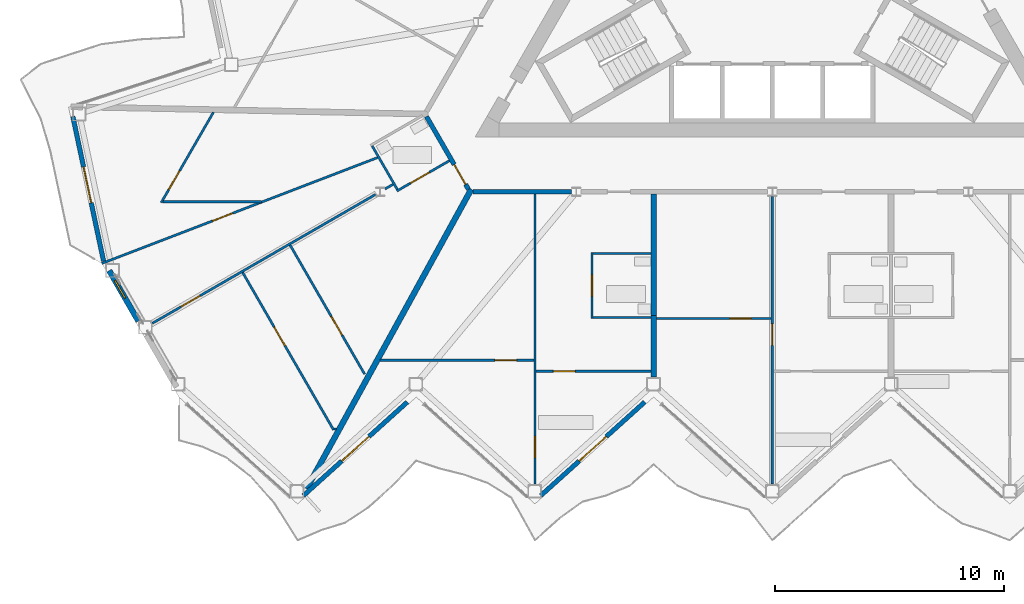
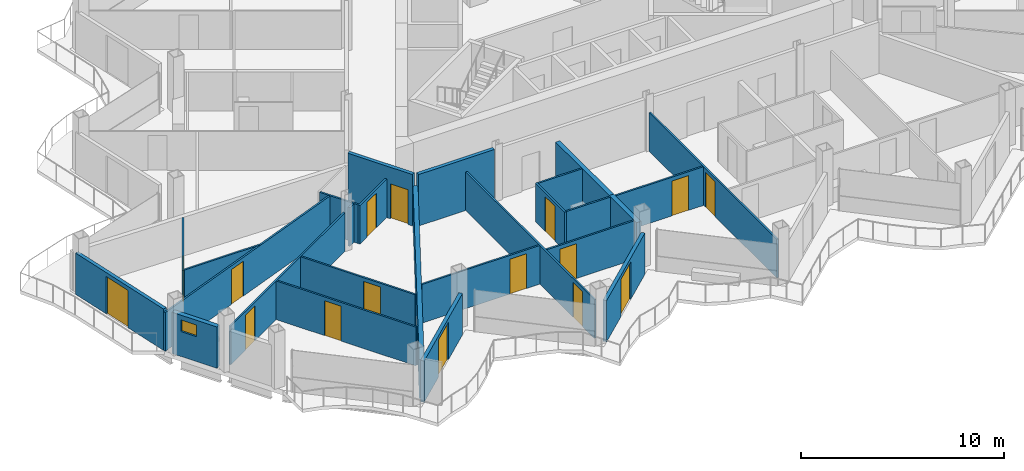
# One storey, part 13 of 27: 27 walls, 16 doors, 1 window, 17 openings.
"""IFC4 building model written with IfcOpenShell, lengths in metres."""

from ifc_helpers import new_model, si_unit, direction, frame, frame_2d, origin, place, context, subcontext, project, spatial, rectangle, extrude, material, layer, layer_set, type_object, element, fill, save


model = new_model("IFC4")

# Units and contexts
model_context = context("Model", 3, precision=1e-05, world=origin(), true_north=direction((0.0, 1.0)))
body_context = subcontext(model_context, "Body", "Model", "MODEL_VIEW")
ifc_project = project(units=[si_unit("LENGTHUNIT", "METRE"), si_unit("AREAUNIT", "SQUARE_METRE"), si_unit("VOLUMEUNIT", "CUBIC_METRE"), si_unit("PLANEANGLEUNIT", "RADIAN"), si_unit("MASSUNIT", "GRAM", prefix="KILO")], contexts=[model_context])

# Site, building, storey
site_placement = place(None, origin())
site = spatial("IfcSite", under=ifc_project, at=site_placement, CompositionType="ELEMENT")
building_placement = place(site_placement, origin())
building = spatial("IfcBuilding", under=site, at=building_placement, Name="Cormorant Prow Tower", CompositionType="ELEMENT")
storey_placement = place(building_placement, frame((0.0, 0.0, 318.800048828125)))
storey = spatial("IfcBuildingStorey", under=building, at=storey_placement, Name="L70", CompositionType="ELEMENT", Elevation=318.800048828125)

# Wall
ifc_material_1 = material(Name="Gypsum board corridor wall")
ifc_layer_1 = layer(ifc_material_1, 0.199951171875)
ifc_layer_set_1 = layer_set([ifc_layer_1], Name="Gypsum board corridor wall")
wall_type_1 = type_object("IfcWallType", Name="Corridor wall 200", PredefinedType="PARTITIONING", material=ifc_layer_set_1)
wall_1_placement = place(storey_placement, frame((-13.10595703125, -9.905517578125, 0.0), z_axis=(0.0, 0.0, 1.0), x_axis=(1.0, 0.0, 0.0)))
element("IfcWall", 1, at=wall_1_placement, inside=storey, type_object=wall_type_1, Name="Corridor wall", PredefinedType="PARTITIONING", context=body_context, shape_type="SweptSolid", body=[
    extrude(rectangle(XDim=4.31982421875, YDim=0.199951171875, at=frame_2d((2.159912109375, 0.0))), origin(), (0.0, 0.0, 1.0), 3.099853515625),
])

# Wall, opening, door
wall_2_placement = place(storey_placement, frame((-15.13134765625, -6.61376953125, 0.0), z_axis=(0.0, 0.0, 1.0), x_axis=(0.499967746641, -0.866044024469, 0.0)))
wall_2 = element("IfcWall", 2, at=wall_2_placement, inside=storey, type_object=wall_type_1, Name="Corridor wall", PredefinedType="PARTITIONING", context=body_context, shape_type="SweptSolid", body=[
    extrude(rectangle(XDim=3.676025390625, YDim=0.199951171875, at=frame_2d((1.837890625, 0.0))), origin(), (0.0, 0.0, 1.0), 3.099853515625),
])
opening_1_placement = place(wall_2_placement, frame((2.426025390625, 0.0, 0.0)))
opening_1 = element("IfcOpeningElement", 3, at=opening_1_placement, cuts=wall_2, Name="Opening L70-F48", PredefinedType="OPENING", context=body_context, shape_type="SweptSolid", body=[
    extrude(rectangle(XDim=1.0, YDim=2.10009765625, at=frame_2d((0.5, 1.050048828125))), frame((0.0, 0.10986328125, 0.0), z_axis=(0.0, -1.0, 0.0), x_axis=(1.0, 0.0, 0.0)), (0.0, 0.0, 1.0), 0.219970703125),
])
ifc_material_2 = material(Name="Timber door leaf", Category="wood")
door_type_1 = type_object("IfcDoorType", Name="Flat or room entrance door 1000x2100", OperationType="NOTDEFINED", PredefinedType="DOOR", material=ifc_material_2)
door_1_placement = place(opening_1_placement, origin())
door_1 = element("IfcDoor", 4, at=door_1_placement, inside=storey, type_object=door_type_1, Name="Living room door", OperationType="SINGLE_SWING_RIGHT", OverallHeight=2.10009765625, OverallWidth=1.0, PredefinedType="DOOR", context=body_context, shape_type="SweptSolid", body=[
    extrude(rectangle(XDim=1.0, YDim=2.10009765625, at=frame_2d((0.5, 1.050048828125))), frame((0.0, 0.02490234375, 0.0), z_axis=(0.0, -1.0, 0.0), x_axis=(1.0, 0.0, 0.0)), (0.0, 0.0, 1.0), 0.050048828125),
])
fill(opening_1, door_1)

ifc_material_3 = material(Name="Gypsum board partition")
ifc_layer_2 = layer(ifc_material_3, 0.10009765625)
ifc_layer_set_2 = layer_set([ifc_layer_2], Name="Gypsum board partition")
wall_type_2 = type_object("IfcWallType", Name="Internal partition 100", PredefinedType="PARTITIONING", material=ifc_layer_set_2)
wall_3_placement = place(storey_placement, frame((-29.33837890625, -13.042236328125, 0.0), z_axis=(0.0, 0.0, 1.0), x_axis=(0.93358243931, 0.358362705944, 0.0)))
wall_3 = element("IfcWall", 5, at=wall_3_placement, inside=storey, type_object=wall_type_2, Name="Internal partition", PredefinedType="PARTITIONING", context=body_context, shape_type="SweptSolid", body=[
    extrude(rectangle(XDim=12.927734375, YDim=0.10009765625, at=frame_2d((6.4638671875, 0.0))), origin(), (0.0, 0.0, 1.0), 2.330078125),
])
opening_2_placement = place(wall_3_placement, frame((5.183349609375, 0.0, 0.0)))
opening_2 = element("IfcOpeningElement", 6, at=opening_2_placement, cuts=wall_3, Name="Opening L70-F53", PredefinedType="OPENING", context=body_context, shape_type="SweptSolid", body=[
    extrude(rectangle(XDim=0.949951171875, YDim=2.10009765625, at=frame_2d((0.47509765625, 1.050048828125))), frame((0.0, 0.06005859375, 0.0), z_axis=(0.0, -1.0, 0.0), x_axis=(1.0, 0.0, 0.0)), (0.0, 0.0, 1.0), 0.1201171875),
])
ifc_material_4 = material(Name="Timber door leaf", Category="wood")
door_type_2 = type_object("IfcDoorType", Name="Bathroom door 950x2100", OperationType="NOTDEFINED", PredefinedType="DOOR", material=ifc_material_4)
door_2_placement = place(opening_2_placement, origin())
door_2 = element("IfcDoor", 7, at=door_2_placement, inside=storey, type_object=door_type_2, Name="Bedroom door", OperationType="SINGLE_SWING_RIGHT", OverallHeight=2.10009765625, OverallWidth=0.949951171875, PredefinedType="DOOR", context=body_context, shape_type="SweptSolid", body=[
    extrude(rectangle(XDim=0.949951171875, YDim=2.10009765625, at=frame_2d((0.47509765625, 1.050048828125))), frame((0.0, 0.02490234375, 0.0), z_axis=(0.0, -1.0, 0.0), x_axis=(1.0, 0.0, 0.0)), (0.0, 0.0, 1.0), 0.050048828125),
])
fill(opening_2, door_2)

wall_4_placement = place(storey_placement, frame((-10.385498046875, -22.697998046875, 0.0), z_axis=(0.0, 0.0, 1.0), x_axis=(0.0, 1.0, 0.0)))
wall_4 = element("IfcWall", 8, at=wall_4_placement, inside=storey, type_object=wall_type_2, Name="Internal partition", PredefinedType="PARTITIONING", context=body_context, shape_type="SweptSolid", body=[
    extrude(rectangle(XDim=12.6923828125, YDim=0.10009765625, at=frame_2d((6.34619140625, 0.0))), origin(), (0.0, 0.0, 1.0), 2.330078125),
])
opening_3_placement = place(wall_4_placement, frame((1.1533203125, 0.0, 0.0)))
opening_3 = element("IfcOpeningElement", 9, at=opening_3_placement, cuts=wall_4, Name="Opening L70-F04", PredefinedType="OPENING", context=body_context, shape_type="SweptSolid", body=[
    extrude(rectangle(XDim=0.949951171875, YDim=2.10009765625, at=frame_2d((0.47509765625, 1.050048828125))), frame((0.0, 0.06005859375, 0.0), z_axis=(0.0, -1.0, 0.0), x_axis=(1.0, 0.0, 0.0)), (0.0, 0.0, 1.0), 0.1201171875),
])
door_3_placement = place(opening_3_placement, origin())
door_3 = element("IfcDoor", 10, at=door_3_placement, inside=storey, type_object=door_type_2, Name="Kitchen door", OperationType="SINGLE_SWING_RIGHT", OverallHeight=2.10009765625, OverallWidth=0.949951171875, PredefinedType="DOOR", context=body_context, shape_type="SweptSolid", body=[
    extrude(rectangle(XDim=0.949951171875, YDim=2.10009765625, at=frame_2d((0.47509765625, 1.050048828125))), frame((0.0, 0.02490234375, 0.0), z_axis=(0.0, -1.0, 0.0), x_axis=(1.0, 0.0, 0.0)), (0.0, 0.0, 1.0), 0.050048828125),
])
fill(opening_3, door_3)

wall_5_placement = place(storey_placement, frame((0.0, -22.697998046875, 0.0), z_axis=(0.0, 0.0, 1.0), x_axis=(0.0, 1.0, 0.0)))
wall_5 = element("IfcWall", 11, at=wall_5_placement, inside=storey, type_object=wall_type_2, Name="Internal partition", PredefinedType="PARTITIONING", context=body_context, shape_type="SweptSolid", body=[
    extrude(rectangle(XDim=12.584716796875, YDim=0.10009765625, at=frame_2d((6.29248046875, 0.0))), origin(), (0.0, 0.0, 1.0), 2.330078125),
])
opening_4_placement = place(wall_5_placement, frame((6.068115234375, 0.0, 0.0)))
opening_4 = element("IfcOpeningElement", 12, at=opening_4_placement, cuts=wall_5, Name="Opening L70-F09", PredefinedType="OPENING", context=body_context, shape_type="SweptSolid", body=[
    extrude(rectangle(XDim=0.949951171875, YDim=2.10009765625, at=frame_2d((0.47509765625, 1.050048828125))), frame((0.0, 0.06005859375, 0.0), z_axis=(0.0, -1.0, 0.0), x_axis=(1.0, 0.0, 0.0)), (0.0, 0.0, 1.0), 0.1201171875),
])
door_4_placement = place(opening_4_placement, origin())
door_4 = element("IfcDoor", 13, at=door_4_placement, inside=storey, type_object=door_type_2, Name="Living room door", OperationType="SINGLE_SWING_RIGHT", OverallHeight=2.10009765625, OverallWidth=0.949951171875, PredefinedType="DOOR", context=body_context, shape_type="SweptSolid", body=[
    extrude(rectangle(XDim=0.949951171875, YDim=2.10009765625, at=frame_2d((0.47509765625, 1.050048828125))), frame((0.0, 0.02490234375, 0.0), z_axis=(0.0, -1.0, 0.0), x_axis=(1.0, 0.0, 0.0)), (0.0, 0.0, 1.0), 0.050048828125),
])
fill(opening_4, door_4)

wall_6_placement = place(storey_placement, frame((-27.122314453125, -15.6591796875, 0.0), z_axis=(0.0, 0.0, 1.0), x_axis=(0.866021046153, 0.500007547564, 0.0)))
wall_6 = element("IfcWall", 14, at=wall_6_placement, inside=storey, type_object=wall_type_2, Name="Internal partition", PredefinedType="PARTITIONING", context=body_context, shape_type="SweptSolid", body=[
    extrude(rectangle(XDim=11.267333984375, YDim=0.10009765625, at=frame_2d((5.6337890625, 0.0))), origin(), (0.0, 0.0, 1.0), 2.330078125),
])
opening_5_placement = place(wall_6_placement, frame((1.4521484375, 0.0, 0.0)))
opening_5 = element("IfcOpeningElement", 15, at=opening_5_placement, cuts=wall_6, Name="Opening L70-F52", PredefinedType="OPENING", context=body_context, shape_type="SweptSolid", body=[
    extrude(rectangle(XDim=0.949951171875, YDim=2.10009765625, at=frame_2d((0.47509765625, 1.050048828125))), frame((0.0, 0.06005859375, 0.0), z_axis=(0.0, -1.0, 0.0), x_axis=(1.0, 0.0, 0.0)), (0.0, 0.0, 1.0), 0.1201171875),
])
door_5_placement = place(opening_5_placement, origin())
door_5 = element("IfcDoor", 16, at=door_5_placement, inside=storey, type_object=door_type_2, Name="Dining room door", OperationType="SINGLE_SWING_RIGHT", OverallHeight=2.10009765625, OverallWidth=0.949951171875, PredefinedType="DOOR", context=body_context, shape_type="SweptSolid", body=[
    extrude(rectangle(XDim=0.949951171875, YDim=2.10009765625, at=frame_2d((0.47509765625, 1.050048828125))), frame((0.0, 0.02490234375, 0.0), z_axis=(0.0, -1.0, 0.0), x_axis=(1.0, 0.0, 0.0)), (0.0, 0.0, 1.0), 0.050048828125),
])
fill(opening_5, door_5)

wall_7_placement = place(storey_placement, frame((-23.173095703125, -13.436767578125, 0.0), z_axis=(0.0, 0.0, 1.0), x_axis=(0.500018284498, -0.866014846967, 0.0)))
wall_7 = element("IfcWall", 17, at=wall_7_placement, inside=storey, type_object=wall_type_2, Name="Internal partition", PredefinedType="PARTITIONING", context=body_context, shape_type="SweptSolid", body=[
    extrude(rectangle(XDim=7.953369140625, YDim=0.10009765625, at=frame_2d((3.9765625, 0.0))), origin(), (0.0, 0.0, 1.0), 2.330078125),
])
opening_6_placement = place(wall_7_placement, frame((2.751220703125, 0.0, 0.0)))
opening_6 = element("IfcOpeningElement", 18, at=opening_6_placement, cuts=wall_7, Name="Opening L70-F51", PredefinedType="OPENING", context=body_context, shape_type="SweptSolid", body=[
    extrude(rectangle(XDim=0.949951171875, YDim=2.10009765625, at=frame_2d((0.47509765625, 1.050048828125))), frame((0.0, 0.06005859375, 0.0), z_axis=(0.0, -1.0, 0.0), x_axis=(1.0, 0.0, 0.0)), (0.0, 0.0, 1.0), 0.1201171875),
])
door_6_placement = place(opening_6_placement, origin())
door_6 = element("IfcDoor", 19, at=door_6_placement, inside=storey, type_object=door_type_2, Name="Kitchen door", OperationType="SINGLE_SWING_RIGHT", OverallHeight=2.10009765625, OverallWidth=0.949951171875, PredefinedType="DOOR", context=body_context, shape_type="SweptSolid", body=[
    extrude(rectangle(XDim=0.949951171875, YDim=2.10009765625, at=frame_2d((0.47509765625, 1.050048828125))), frame((0.0, 0.02490234375, 0.0), z_axis=(0.0, -1.0, 0.0), x_axis=(1.0, 0.0, 0.0)), (0.0, 0.0, 1.0), 0.050048828125),
])
fill(opening_6, door_6)

wall_8_placement = place(storey_placement, frame((-17.157958984375, -17.27099609375, 0.0), z_axis=(0.0, 0.0, 1.0), x_axis=(1.0, 0.0, 0.0)))
wall_8 = element("IfcWall", 20, at=wall_8_placement, inside=storey, type_object=wall_type_2, Name="Internal partition", PredefinedType="PARTITIONING", context=body_context, shape_type="SweptSolid", body=[
    extrude(rectangle(XDim=6.722412109375, YDim=0.10009765625, at=frame_2d((3.361328125, 0.0))), origin(), (0.0, 0.0, 1.0), 2.330078125),
])
opening_7_placement = place(wall_8_placement, frame((5.015380859375, 0.0, 0.0)))
opening_7 = element("IfcOpeningElement", 21, at=opening_7_placement, cuts=wall_8, Name="Opening L70-F05", PredefinedType="OPENING", context=body_context, shape_type="SweptSolid", body=[
    extrude(rectangle(XDim=0.949951171875, YDim=2.10009765625, at=frame_2d((0.47509765625, 1.050048828125))), frame((0.0, 0.06005859375, 0.0), z_axis=(0.0, -1.0, 0.0), x_axis=(1.0, 0.0, 0.0)), (0.0, 0.0, 1.0), 0.1201171875),
])
door_7_placement = place(opening_7_placement, origin())
door_7 = element("IfcDoor", 22, at=door_7_placement, inside=storey, type_object=door_type_2, Name="Bedroom door", OperationType="SINGLE_SWING_RIGHT", OverallHeight=2.10009765625, OverallWidth=0.949951171875, PredefinedType="DOOR", context=body_context, shape_type="SweptSolid", body=[
    extrude(rectangle(XDim=0.949951171875, YDim=2.10009765625, at=frame_2d((0.47509765625, 1.050048828125))), frame((0.0, 0.02490234375, 0.0), z_axis=(0.0, -1.0, 0.0), x_axis=(1.0, 0.0, 0.0)), (0.0, 0.0, 1.0), 0.050048828125),
])
fill(opening_7, door_7)

wall_9_placement = place(storey_placement, frame((-21.09765625, -12.238525390625, 0.0), z_axis=(0.0, 0.0, 1.0), x_axis=(0.499973122483, -0.86604092097, 0.0)))
wall_9 = element("IfcWall", 23, at=wall_9_placement, inside=storey, type_object=wall_type_2, Name="Internal partition", PredefinedType="PARTITIONING", context=body_context, shape_type="SweptSolid", body=[
    extrude(rectangle(XDim=6.519775390625, YDim=0.10009765625, at=frame_2d((3.259765625, 0.0))), origin(), (0.0, 0.0, 1.0), 2.330078125),
])
opening_8_placement = place(wall_9_placement, frame((3.59619140625, 0.0, 0.0)))
opening_8 = element("IfcOpeningElement", 24, at=opening_8_placement, cuts=wall_9, Name="Opening L70-F50", PredefinedType="OPENING", context=body_context, shape_type="SweptSolid", body=[
    extrude(rectangle(XDim=0.949951171875, YDim=2.10009765625, at=frame_2d((0.47509765625, 1.050048828125))), frame((0.0, 0.06005859375, 0.0), z_axis=(0.0, -1.0, 0.0), x_axis=(1.0, 0.0, 0.0)), (0.0, 0.0, 1.0), 0.1201171875),
])
door_8_placement = place(opening_8_placement, origin())
door_8 = element("IfcDoor", 25, at=door_8_placement, inside=storey, type_object=door_type_2, Name="Living room door", OperationType="SINGLE_SWING_RIGHT", OverallHeight=2.10009765625, OverallWidth=0.949951171875, PredefinedType="DOOR", context=body_context, shape_type="SweptSolid", body=[
    extrude(rectangle(XDim=0.949951171875, YDim=2.10009765625, at=frame_2d((0.47509765625, 1.050048828125))), frame((0.0, 0.02490234375, 0.0), z_axis=(0.0, -1.0, 0.0), x_axis=(1.0, 0.0, 0.0)), (0.0, 0.0, 1.0), 0.050048828125),
])
fill(opening_8, door_8)

wall_10_placement = place(storey_placement, frame((-10.335693359375, -17.758056640625, 0.0), z_axis=(0.0, 0.0, 1.0), x_axis=(1.0, 0.0, 0.0)))
wall_10 = element("IfcWall", 26, at=wall_10_placement, inside=storey, type_object=wall_type_2, Name="Internal partition", PredefinedType="PARTITIONING", context=body_context, shape_type="SweptSolid", body=[
    extrude(rectangle(XDim=5.017822265625, YDim=0.10009765625, at=frame_2d((2.5087890625, 0.0))), origin(), (0.0, 0.0, 1.0), 2.330078125),
])
opening_9_placement = place(wall_10_placement, frame((0.759765625, 0.0, 0.0)))
opening_9 = element("IfcOpeningElement", 27, at=opening_9_placement, cuts=wall_10, Name="Opening L70-F03", PredefinedType="OPENING", context=body_context, shape_type="SweptSolid", body=[
    extrude(rectangle(XDim=0.949951171875, YDim=2.10009765625, at=frame_2d((0.47509765625, 1.050048828125))), frame((0.0, 0.06005859375, 0.0), z_axis=(0.0, -1.0, 0.0), x_axis=(1.0, 0.0, 0.0)), (0.0, 0.0, 1.0), 0.1201171875),
])
door_9_placement = place(opening_9_placement, origin())
door_9 = element("IfcDoor", 28, at=door_9_placement, inside=storey, type_object=door_type_2, Name="Living room door", OperationType="SINGLE_SWING_LEFT", OverallHeight=2.10009765625, OverallWidth=0.949951171875, PredefinedType="DOOR", context=body_context, shape_type="SweptSolid", body=[
    extrude(rectangle(XDim=0.949951171875, YDim=2.10009765625, at=frame_2d((0.47509765625, 1.050048828125))), frame((0.0, 0.02490234375, 0.0), z_axis=(0.0, -1.0, 0.0), x_axis=(1.0, 0.0, 0.0)), (0.0, 0.0, 1.0), 0.050048828125),
])
fill(opening_9, door_9)

wall_11_placement = place(storey_placement, frame((-5.06787109375, -15.447265625, 0.0), z_axis=(0.0, 0.0, 1.0), x_axis=(1.0, 0.0, 0.0)))
wall_11 = element("IfcWall", 29, at=wall_11_placement, inside=storey, type_object=wall_type_2, Name="Internal partition", PredefinedType="PARTITIONING", context=body_context, shape_type="SweptSolid", body=[
    extrude(rectangle(XDim=5.017822265625, YDim=0.10009765625, at=frame_2d((2.5087890625, 0.0))), origin(), (0.0, 0.0, 1.0), 2.330078125),
])
opening_10_placement = place(wall_11_placement, frame((3.206298828125, 0.0, 0.0)))
opening_10 = element("IfcOpeningElement", 30, at=opening_10_placement, cuts=wall_11, Name="Opening L70-F10", PredefinedType="OPENING", context=body_context, shape_type="SweptSolid", body=[
    extrude(rectangle(XDim=0.949951171875, YDim=2.10009765625, at=frame_2d((0.47509765625, 1.050048828125))), frame((0.0, 0.06005859375, 0.0), z_axis=(0.0, -1.0, 0.0), x_axis=(1.0, 0.0, 0.0)), (0.0, 0.0, 1.0), 0.1201171875),
])
door_10_placement = place(opening_10_placement, origin())
door_10 = element("IfcDoor", 31, at=door_10_placement, inside=storey, type_object=door_type_2, Name="Bedroom door", OperationType="SINGLE_SWING_RIGHT", OverallHeight=2.10009765625, OverallWidth=0.949951171875, PredefinedType="DOOR", context=body_context, shape_type="SweptSolid", body=[
    extrude(rectangle(XDim=0.949951171875, YDim=2.10009765625, at=frame_2d((0.47509765625, 1.050048828125))), frame((0.0, 0.02490234375, 0.0), z_axis=(0.0, -1.0, 0.0), x_axis=(1.0, 0.0, 0.0)), (0.0, 0.0, 1.0), 0.050048828125),
])
fill(opening_10, door_10)

wall_12_placement = place(storey_placement, frame((-26.735595703125, -10.3798828125, 0.0), z_axis=(0.0, 0.0, 1.0), x_axis=(0.500024700597, 0.866011142419, 0.0)))
wall_12 = element("IfcWall", 32, at=wall_12_placement, inside=storey, type_object=wall_type_2, Name="Internal partition", PredefinedType="PARTITIONING", context=body_context, shape_type="SweptSolid", body=[
    extrude(rectangle(XDim=4.568115234375, YDim=0.10009765625, at=frame_2d((2.2841796875, 0.0))), origin(), (0.0, 0.0, 1.0), 2.330078125),
])
opening_11_placement = place(wall_12_placement, frame((0.65234375, 0.0, 0.0)))
opening_11 = element("IfcOpeningElement", 33, at=opening_11_placement, cuts=wall_12, Name="Opening L70-F54", PredefinedType="OPENING", context=body_context, shape_type="SweptSolid", body=[
    extrude(rectangle(XDim=0.949951171875, YDim=2.10009765625, at=frame_2d((0.47509765625, 1.050048828125))), frame((0.0, 0.06005859375, 0.0), z_axis=(0.0, -1.0, 0.0), x_axis=(1.0, 0.0, 0.0)), (0.0, 0.0, 1.0), 0.1201171875),
])
door_11_placement = place(opening_11_placement, origin())
door_11 = element("IfcDoor", 34, at=door_11_placement, inside=storey, type_object=door_type_2, Name="Bedroom door", OperationType="SINGLE_SWING_LEFT", OverallHeight=2.10009765625, OverallWidth=0.949951171875, PredefinedType="DOOR", context=body_context, shape_type="SweptSolid", body=[
    extrude(rectangle(XDim=0.949951171875, YDim=2.10009765625, at=frame_2d((0.47509765625, 1.050048828125))), frame((0.0, 0.02490234375, 0.0), z_axis=(0.0, -1.0, 0.0), x_axis=(1.0, 0.0, 0.0)), (0.0, 0.0, 1.0), 0.050048828125),
])
fill(opening_11, door_11)

# Wall
wall_13_placement = place(storey_placement, frame((-26.660400390625, -10.336669921875, 0.0), z_axis=(0.0, 0.0, 1.0), x_axis=(1.0, 0.0, 0.0)))
element("IfcWall", 35, at=wall_13_placement, inside=storey, type_object=wall_type_2, Name="Internal partition", PredefinedType="PARTITIONING", context=body_context, shape_type="SweptSolid", body=[
    extrude(rectangle(XDim=4.300537109375, YDim=0.10009765625, at=frame_2d((2.150390625, 0.0))), origin(), (0.0, 0.0, 1.0), 2.330078125),
])

# Wall, opening, door
wall_14_placement = place(storey_placement, frame((-7.892822265625, -15.45556640625, 0.0), z_axis=(0.0, 0.0, 1.0), x_axis=(0.0, 1.0, 0.0)))
wall_14 = element("IfcWall", 36, at=wall_14_placement, inside=storey, type_object=wall_type_2, Name="Internal partition", PredefinedType="PARTITIONING", context=body_context, shape_type="SweptSolid", body=[
    extrude(rectangle(XDim=2.89990234375, YDim=0.10009765625, at=frame_2d((1.449951171875, 0.0))), origin(), (0.0, 0.0, 1.0), 2.330078125),
])
opening_12_placement = place(wall_14_placement, frame((0.97509765625, 0.0, 0.0)))
opening_12 = element("IfcOpeningElement", 37, at=opening_12_placement, cuts=wall_14, Name="Opening L70-F02", PredefinedType="OPENING", context=body_context, shape_type="SweptSolid", body=[
    extrude(rectangle(XDim=0.949951171875, YDim=2.10009765625, at=frame_2d((0.47509765625, 1.050048828125))), frame((0.0, 0.06005859375, 0.0), z_axis=(0.0, -1.0, 0.0), x_axis=(1.0, 0.0, 0.0)), (0.0, 0.0, 1.0), 0.1201171875),
])
door_12_placement = place(opening_12_placement, origin())
door_12 = element("IfcDoor", 38, at=door_12_placement, inside=storey, type_object=door_type_2, Name="Living room door", OperationType="SINGLE_SWING_LEFT", OverallHeight=2.10009765625, OverallWidth=0.949951171875, PredefinedType="DOOR", context=body_context, shape_type="SweptSolid", body=[
    extrude(rectangle(XDim=0.949951171875, YDim=2.10009765625, at=frame_2d((0.47509765625, 1.050048828125))), frame((0.0, 0.02490234375, 0.0), z_axis=(0.0, -1.0, 0.0), x_axis=(1.0, 0.0, 0.0)), (0.0, 0.0, 1.0), 0.050048828125),
])
fill(opening_12, door_12)

# Walls
for number, where, z_axis, x_axis, name in (
    (39, (-7.8427734375, -12.605712890625, 0.0), (0.0, 0.0, 1.0), (1.0, 0.0, 0.0), "Internal partition"),
    (40, (-7.8427734375, -15.405517578125, 0.0), (0.0, 0.0, 1.0), (1.0, 0.0, 0.0), "Internal partition"),
):
    element("IfcWall", number, at=place(storey_placement, frame(where, z_axis=z_axis, x_axis=x_axis)), inside=storey, type_object=wall_type_2, Name=name, PredefinedType="PARTITIONING", context=body_context, shape_type="SweptSolid", body=[
        extrude(rectangle(XDim=2.52490234375, YDim=0.10009765625, at=frame_2d((1.262451171875, 0.0))), origin(), (0.0, 0.0, 1.0), 2.330078125),
    ])

# Wall, opening, door
wall_15_placement = place(storey_placement, frame((-16.425537109375, -9.872314453125, 0.0), z_axis=(0.0, 0.0, 1.0), x_axis=(0.866029095148, 0.499993606316, 0.0)))
wall_15 = element("IfcWall", 41, at=wall_15_placement, inside=storey, type_object=wall_type_2, Name="Internal partition", PredefinedType="PARTITIONING", context=body_context, shape_type="SweptSolid", body=[
    extrude(rectangle(XDim=2.64990234375, YDim=0.10009765625, at=frame_2d((1.324951171875, 0.0))), origin(), (0.0, 0.0, 1.0), 2.330078125),
])
opening_13_placement = place(wall_15_placement, frame((0.686279296875, 0.0, 0.0)))
opening_13 = element("IfcOpeningElement", 42, at=opening_13_placement, cuts=wall_15, Name="Opening L70-F49", PredefinedType="OPENING", context=body_context, shape_type="SweptSolid", body=[
    extrude(rectangle(XDim=0.949951171875, YDim=2.10009765625, at=frame_2d((0.47509765625, 1.050048828125))), frame((0.0, 0.06005859375, 0.0), z_axis=(0.0, -1.0, 0.0), x_axis=(1.0, 0.0, 0.0)), (0.0, 0.0, 1.0), 0.1201171875),
])
door_13_placement = place(opening_13_placement, origin())
door_13 = element("IfcDoor", 43, at=door_13_placement, inside=storey, type_object=door_type_2, Name="Living room door", OperationType="SINGLE_SWING_LEFT", OverallHeight=2.10009765625, OverallWidth=0.949951171875, PredefinedType="DOOR", context=body_context, shape_type="SweptSolid", body=[
    extrude(rectangle(XDim=0.949951171875, YDim=2.10009765625, at=frame_2d((0.47509765625, 1.050048828125))), frame((0.0, 0.02490234375, 0.0), z_axis=(0.0, -1.0, 0.0), x_axis=(1.0, 0.0, 0.0)), (0.0, 0.0, 1.0), 0.050048828125),
])
fill(opening_13, door_13)

# Walls
wall_16_placement = place(storey_placement, frame((-17.507080078125, -7.89892578125, 0.0), z_axis=(0.0, 0.0, 1.0), x_axis=(0.499946605688, -0.86605622881, 0.0)))
element("IfcWall", 44, at=wall_16_placement, inside=storey, type_object=wall_type_2, Name="Internal partition", PredefinedType="PARTITIONING", context=body_context, shape_type="SweptSolid", body=[
    extrude(rectangle(XDim=2.199951171875, YDim=0.10009765625, at=frame_2d((1.10009765625, 0.0))), origin(), (0.0, 0.0, 1.0), 2.330078125),
])
wall_17_placement = place(storey_placement, frame((-16.94921875, -9.78564453125, 0.0), z_axis=(0.0, 0.0, 1.0), x_axis=(0.866036909293, 0.499980071345, 0.0)))
element("IfcWall", 45, at=wall_17_placement, inside=storey, type_object=wall_type_2, Name="Internal partition", PredefinedType="PARTITIONING", context=body_context, shape_type="SweptSolid", body=[
    extrude(rectangle(XDim=0.41015625, YDim=0.10009765625, at=frame_2d((0.205078125, 0.0))), origin(), (0.0, 0.0, 1.0), 2.330078125),
])
wall_18_placement = place(storey_placement, frame((-19.17138671875, -20.28125, 0.0), z_axis=(0.0, 0.0, 1.0), x_axis=(1.0, 0.0, 0.0)))
element("IfcWall", 46, at=wall_18_placement, inside=storey, type_object=wall_type_2, Name="Internal partition", PredefinedType="PARTITIONING", context=body_context, shape_type="SweptSolid", body=[
    extrude(rectangle(XDim=0.107666015625, YDim=0.10009765625, at=frame_2d((0.0537109375, 0.0))), origin(), (0.0, 0.0, 1.0), 2.330078125),
])
ifc_material_5 = material(Name="Acoustic gypsum party wall")
ifc_layer_3 = layer(ifc_material_5, 0.25)
ifc_layer_set_3 = layer_set([ifc_layer_3], Name="Acoustic gypsum party wall")
wall_type_3 = type_object("IfcWallType", Name="Suite party wall 250", PredefinedType="PARTITIONING", material=ifc_layer_set_3)
wall_19_placement = place(storey_placement, frame((-20.38134765625, -22.903564453125, 0.0), z_axis=(0.0, 0.0, 1.0), x_axis=(0.481994550341, 0.876174214093, 0.0)))
element("IfcWall", 47, at=wall_19_placement, inside=storey, type_object=wall_type_3, Name="Suite party wall", PredefinedType="PARTITIONING", context=body_context, shape_type="SweptSolid", body=[
    extrude(rectangle(XDim=14.960205078125, YDim=0.25, at=frame_2d((7.47998046875, 0.0))), origin(), (0.0, 0.0, 1.0), 2.330078125),
])
wall_20_placement = place(storey_placement, frame((-5.19287109375, -15.530517578125, 0.0), z_axis=(0.0, 0.0, 1.0), x_axis=(0.0, 1.0, 0.0)))
element("IfcWall", 48, at=wall_20_placement, inside=storey, type_object=wall_type_3, Name="Suite party wall", PredefinedType="PARTITIONING", context=body_context, shape_type="SweptSolid", body=[
    extrude(rectangle(XDim=5.52490234375, YDim=0.25, at=frame_2d((2.762451171875, 0.0))), origin(), (0.0, 0.0, 1.0), 2.330078125),
])
wall_21_placement = place(storey_placement, frame((-5.19287109375, -18.016845703125, 0.0), z_axis=(0.0, 0.0, 1.0), x_axis=(0.0, 1.0, 0.0)))
element("IfcWall", 49, at=wall_21_placement, inside=storey, type_object=wall_type_3, Name="Suite party wall", PredefinedType="PARTITIONING", context=body_context, shape_type="SweptSolid", body=[
    extrude(rectangle(XDim=2.70458984375, YDim=0.25, at=frame_2d((1.352294921875, 0.0))), origin(), (0.0, 0.0, 1.0), 2.330078125),
])

# Wall, opening, window
ifc_material_6 = material(Name="Terracotta", Category="masonry")
ifc_layer_4 = layer(ifc_material_6, 0.25)
ifc_layer_set_4 = layer_set([ifc_layer_4], Name="Terracotta")
wall_type_4 = type_object("IfcWallType", Name="Terracotta bay wall 250", PredefinedType="SOLIDWALL", material=ifc_layer_set_4)
wall_22_placement = place(storey_placement, frame((-29.012939453125, -13.355712890625, 0.0), z_axis=(0.0, 0.0, 1.0), x_axis=(0.500012659481, -0.866018094706, 0.0)))
wall_22 = element("IfcWall", 50, at=wall_22_placement, inside=storey, type_object=wall_type_4, Name="Terracotta bay wall WSW00", PredefinedType="SOLIDWALL", context=body_context, shape_type="SweptSolid", body=[
    extrude(rectangle(XDim=2.548828125, YDim=0.25, at=frame_2d((1.2744140625, 0.0))), origin(), (0.0, 0.0, 1.0), 2.48779296875),
])
opening_14_placement = place(wall_22_placement, frame((0.5, 0.0, 1.5)))
opening_14 = element("IfcOpeningElement", 51, at=opening_14_placement, cuts=wall_22, Name="Opening WN8", PredefinedType="OPENING", context=body_context, shape_type="SweptSolid", body=[
    extrude(rectangle(XDim=0.89990234375, YDim=0.699951171875, at=frame_2d((0.449951171875, 0.35009765625))), frame((0.0, 0.135009765625, 0.0), z_axis=(0.0, -1.0, 0.0), x_axis=(1.0, 0.0, 0.0)), (0.0, 0.0, 1.0), 0.27001953125),
])
ifc_material_7 = material(Name="Aluminium 6063-T6", Category="aluminium")
window_type = type_object("IfcWindowType", Name="Corner bay window 900x700", PartitioningType="SINGLE_PANEL", PredefinedType="WINDOW", material=ifc_material_7)
window_placement = place(opening_14_placement, origin())
window = element("IfcWindow", 52, at=window_placement, inside=storey, type_object=window_type, Name="Corner bay window WSW00", OverallHeight=0.699951171875, OverallWidth=0.89990234375, PartitioningType="SINGLE_PANEL", PredefinedType="WINDOW", context=body_context, shape_type="SweptSolid", body=[
    extrude(rectangle(XDim=0.89990234375, YDim=0.699951171875, at=frame_2d((0.449951171875, 0.35009765625))), frame((0.0, 0.030029296875, 0.0), z_axis=(0.0, -1.0, 0.0), x_axis=(1.0, 0.0, 0.0)), (0.0, 0.0, 1.0), 0.06005859375),
])
fill(opening_14, window)

# Wall, opening, door
ifc_material_8 = material(Name="Terracotta", Category="masonry")
ifc_layer_5 = layer(ifc_material_8, 0.199951171875)
ifc_layer_set_5 = layer_set([ifc_layer_5], Name="Terracotta")
wall_type_5 = type_object("IfcWallType", Name="Terracotta jamb wall 200", PredefinedType="SOLIDWALL", material=ifc_layer_set_5)
wall_23_placement = place(storey_placement, frame((-20.515625, -23.197509765625, 0.0), z_axis=(0.0, 0.0, 1.0), x_axis=(0.743121537674, 0.66915646918, 0.0)))
wall_23 = element("IfcWall", 53, at=wall_23_placement, inside=storey, type_object=wall_type_5, Name="Terracotta jamb wall S01", PredefinedType="SOLIDWALL", context=body_context, shape_type="SweptSolid", body=[
    extrude(rectangle(XDim=6.11962890625, YDim=0.199951171875, at=frame_2d((3.059814453125, 0.0))), origin(), (0.0, 0.0, 1.0), 2.48779296875),
])
opening_15_placement = place(wall_23_placement, frame((2.259765625, 0.0, 0.0)))
opening_15 = element("IfcOpeningElement", 54, at=opening_15_placement, cuts=wall_23, Name="Opening ED70.01", PredefinedType="OPENING", context=body_context, shape_type="SweptSolid", body=[
    extrude(rectangle(XDim=1.60009765625, YDim=2.25, at=frame_2d((0.800048828125, 1.125))), frame((0.0, 0.10986328125, 0.0), z_axis=(0.0, -1.0, 0.0), x_axis=(1.0, 0.0, 0.0)), (0.0, 0.0, 1.0), 0.219970703125),
])
ifc_material_9 = material(Name="Aluminium 6063-T6", Category="aluminium")
door_type_3 = type_object("IfcDoorType", Name="Balcony door 1600x2250", OperationType="DOUBLE_DOOR_SINGLE_SWING", PredefinedType="DOOR", material=ifc_material_9)
door_14_placement = place(opening_15_placement, origin())
door_14 = element("IfcDoor", 55, at=door_14_placement, inside=storey, type_object=door_type_3, Name="Balcony door S01 ED70.01", OperationType="DOUBLE_DOOR_SINGLE_SWING", OverallHeight=2.25, OverallWidth=1.60009765625, PredefinedType="DOOR", context=body_context, shape_type="SweptSolid", body=[
    extrude(rectangle(XDim=1.60009765625, YDim=2.25, at=frame_2d((0.800048828125, 1.125))), frame((0.0, 0.02490234375, 0.0), z_axis=(0.0, -1.0, 0.0), x_axis=(1.0, 0.0, 0.0)), (0.0, 0.0, 1.0), 0.050048828125),
])
fill(opening_15, door_14)

wall_24_placement = place(storey_placement, frame((-10.130126953125, -23.197509765625, 0.0), z_axis=(0.0, 0.0, 1.0), x_axis=(0.743139400616, 0.669136631229, 0.0)))
wall_24 = element("IfcWall", 56, at=wall_24_placement, inside=storey, type_object=wall_type_5, Name="Terracotta jamb wall S03", PredefinedType="SOLIDWALL", context=body_context, shape_type="SweptSolid", body=[
    extrude(rectangle(XDim=6.119873046875, YDim=0.199951171875, at=frame_2d((3.06005859375, 0.0))), origin(), (0.0, 0.0, 1.0), 2.48779296875),
])
opening_16_placement = place(wall_24_placement, frame((2.259765625, 0.0, 0.0)))
opening_16 = element("IfcOpeningElement", 57, at=opening_16_placement, cuts=wall_24, Name="Opening ED70.02", PredefinedType="OPENING", context=body_context, shape_type="SweptSolid", body=[
    extrude(rectangle(XDim=1.60009765625, YDim=2.25, at=frame_2d((0.800048828125, 1.125))), frame((0.0, 0.10986328125, 0.0), z_axis=(0.0, -1.0, 0.0), x_axis=(1.0, 0.0, 0.0)), (0.0, 0.0, 1.0), 0.219970703125),
])
door_15_placement = place(opening_16_placement, origin())
door_15 = element("IfcDoor", 58, at=door_15_placement, inside=storey, type_object=door_type_3, Name="Balcony door S03 ED70.02", OperationType="DOUBLE_DOOR_SINGLE_SWING", OverallHeight=2.25, OverallWidth=1.60009765625, PredefinedType="DOOR", context=body_context, shape_type="SweptSolid", body=[
    extrude(rectangle(XDim=1.60009765625, YDim=2.25, at=frame_2d((0.800048828125, 1.125))), frame((0.0, 0.02490234375, 0.0), z_axis=(0.0, -1.0, 0.0), x_axis=(1.0, 0.0, 0.0)), (0.0, 0.0, 1.0), 0.050048828125),
])
fill(opening_16, door_15)

wall_25_placement = place(storey_placement, frame((-30.60302734375, -6.611083984375, 0.0), z_axis=(0.0, 0.0, 1.0), x_axis=(0.207921893309, -0.978145432072, 0.0)))
wall_25 = element("IfcWall", 59, at=wall_25_placement, inside=storey, type_object=wall_type_5, Name="Terracotta jamb wall WNW09", PredefinedType="SOLIDWALL", context=body_context, shape_type="SweptSolid", body=[
    extrude(rectangle(XDim=6.474609375, YDim=0.199951171875, at=frame_2d((3.2373046875, 0.0))), origin(), (0.0, 0.0, 1.0), 2.48779296875),
])
opening_17_placement = place(wall_25_placement, frame((2.259765625, 0.0, 0.0)))
opening_17 = element("IfcOpeningElement", 60, at=opening_17_placement, cuts=wall_25, Name="Opening ED70.15", PredefinedType="OPENING", context=body_context, shape_type="SweptSolid", body=[
    extrude(rectangle(XDim=1.60009765625, YDim=2.25, at=frame_2d((0.800048828125, 1.125))), frame((0.0, 0.10986328125, 0.0), z_axis=(0.0, -1.0, 0.0), x_axis=(1.0, 0.0, 0.0)), (0.0, 0.0, 1.0), 0.219970703125),
])
door_16_placement = place(opening_17_placement, origin())
door_16 = element("IfcDoor", 61, at=door_16_placement, inside=storey, type_object=door_type_3, Name="Balcony door WNW09 ED70.15", OperationType="DOUBLE_DOOR_SINGLE_SWING", OverallHeight=2.25, OverallWidth=1.60009765625, PredefinedType="DOOR", context=body_context, shape_type="SweptSolid", body=[
    extrude(rectangle(XDim=1.60009765625, YDim=2.25, at=frame_2d((0.800048828125, 1.125))), frame((0.0, 0.02490234375, 0.0), z_axis=(0.0, -1.0, 0.0), x_axis=(1.0, 0.0, 0.0)), (0.0, 0.0, 1.0), 0.050048828125),
])
fill(opening_17, door_16)

save(model, "model.ifc")
